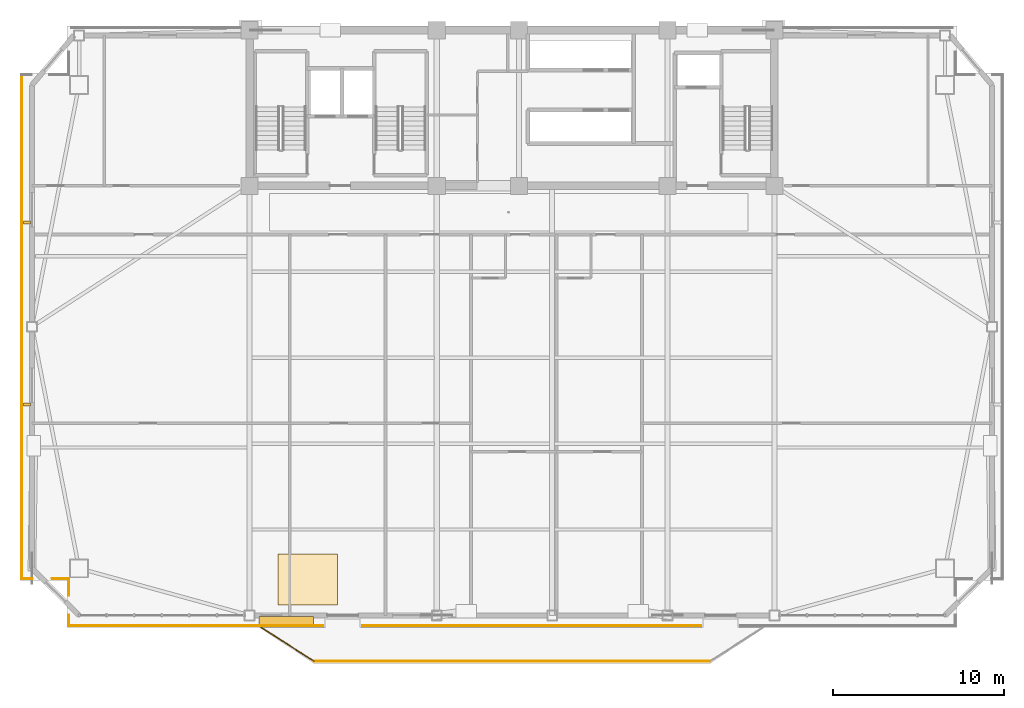
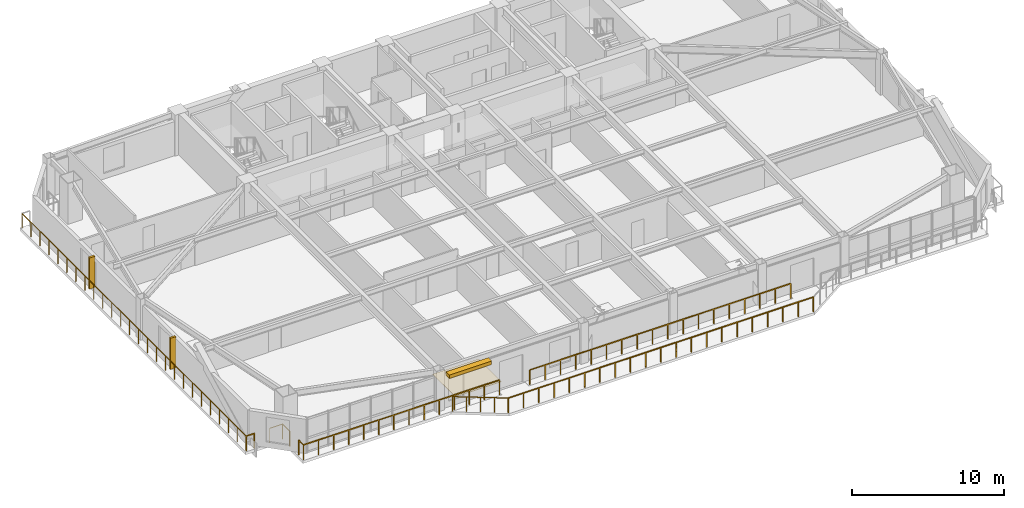
# One storey, part 13 of 17: 9 railings, 3 shading devices, 1 covering.
"""IFC4 building model written with IfcOpenShell, lengths in metres."""

from ifc_helpers import new_model, si_unit, direction, frame, origin, origin_2d, place, context, subcontext, project, spatial, polyline, rectangle, outline, extrude, source, transform, mapped, material, layer, layer_set, type_object, element, save


model = new_model("IFC4")

# Units and contexts
model_context = context("Model", 3, precision=1e-05, world=origin(), true_north=direction((0.0, 1.0)))
body_context = subcontext(model_context, "Body", "Model", "MODEL_VIEW")
ifc_project = project(units=[si_unit("LENGTHUNIT", "METRE"), si_unit("AREAUNIT", "SQUARE_METRE"), si_unit("VOLUMEUNIT", "CUBIC_METRE"), si_unit("PLANEANGLEUNIT", "RADIAN"), si_unit("MASSUNIT", "GRAM", prefix="KILO")], contexts=[model_context])

# Site, building, storey
site_placement = place(None, origin())
site = spatial("IfcSite", under=ifc_project, at=site_placement, CompositionType="ELEMENT")
building_placement = place(site_placement, origin())
building = spatial("IfcBuilding", under=site, at=building_placement, Name="Giltprow Tower", CompositionType="ELEMENT")
storey_placement = place(building_placement, frame((0.0, 0.0, 213.199951171875)))
storey = spatial("IfcBuildingStorey", under=building, at=storey_placement, Name="L54", CompositionType="ELEMENT", Elevation=213.199951171875)

# Covering
ifc_material_1 = material(Name="Engineered oak", Category="wood")
ifc_layer = layer(ifc_material_1, 0.02490234375, Name="Engineered oak")
ifc_layer_set = layer_set([ifc_layer], Name="Engineered oak")
covering_type = type_object("IfcCoveringType", Name="COV-FLR-TIMBER", PredefinedType="FLOORING", material=ifc_layer_set)
covering_placement = place(storey_placement, origin())
element("IfcCovering", 1, at=covering_placement, inside=storey, type_object=covering_type, Name="L54 Engineered Oak Guestroom Flooring", PredefinedType="FLOORING", context=body_context, shape_type="SweptSolid", body=[
    extrude(outline(polyline([(21.5, 12.91796875), (25.0, 12.91796875), (25.0, 15.91796875), (21.5, 15.91796875), (21.5, 12.91796875)])), origin(), (0.0, 0.0, 1.0), 0.025146484375),
])

# Railings
ifc_material_2 = material(Name="Anodized bronze", Category="metal")
railing_type = type_object("IfcRailingType", Name="RAIL-BALC-GUARD-1200", PredefinedType="BALUSTRADE", material=ifc_material_2)
railing_1_placement = place(storey_placement, frame((20.52001953125, 11.617919921875, 0.0)))
element("IfcRailing", 2, at=railing_1_placement, inside=storey, type_object=railing_type, Name="L54 Waterfront Balcony Balustrade Seg 1", PredefinedType="BALUSTRADE", context=body_context, shape_type="SweptSolid", body=[
    extrude(rectangle(XDim=0.048095703125, YDim=0.048095703125, at=origin_2d()), frame((0.0, 0.0, 1.17578125), z_axis=(0.84277487735, -0.538266203757, 0.0), x_axis=(0.538266203757, 0.84277487735, 0.0)), (0.0, 0.0, 1.0), 3.678466796875),
    extrude(rectangle(XDim=0.0419921875, YDim=0.0419921875, at=origin_2d()), origin(), (0.0, 0.0, 1.0), 1.15185546875),
    extrude(rectangle(XDim=0.0419921875, YDim=0.0419921875, at=origin_2d()), frame((0.77490234375, -0.4951171875, 0.0)), (0.0, 0.0, 1.0), 1.15185546875),
    extrude(rectangle(XDim=0.0419921875, YDim=0.0419921875, at=origin_2d()), frame((1.550048828125, -0.989990234375, 0.0)), (0.0, 0.0, 1.0), 1.15185546875),
    extrude(rectangle(XDim=0.0419921875, YDim=0.0419921875, at=origin_2d()), frame((2.3251953125, -1.48486328125, 0.0)), (0.0, 0.0, 1.0), 1.15185546875),
    extrude(rectangle(XDim=0.0419921875, YDim=0.0419921875, at=origin_2d()), frame((3.10009765625, -1.97998046875, 0.0)), (0.0, 0.0, 1.0), 1.15185546875),
])
railing_2_placement = place(storey_placement, frame((23.6201171875, 9.637939453125, 0.0)))
element("IfcRailing", 3, at=railing_2_placement, inside=storey, type_object=railing_type, Name="L54 Waterfront Balcony Balustrade Seg 2", PredefinedType="BALUSTRADE", context=body_context, shape_type="SweptSolid", body=[
    extrude(rectangle(XDim=0.048095703125, YDim=0.048095703125, at=origin_2d()), frame((0.0, 0.0, 1.17578125), z_axis=(1.0, 0.0, 0.0), x_axis=(0.0, 1.0, 0.0)), (0.0, 0.0, 1.0), 23.159912109375),
    extrude(rectangle(XDim=0.0419921875, YDim=0.0419921875, at=origin_2d()), origin(), (0.0, 0.0, 1.0), 1.15185546875),
    extrude(rectangle(XDim=0.0419921875, YDim=0.0419921875, at=origin_2d()), frame((1.157958984375, 0.0, 0.0)), (0.0, 0.0, 1.0), 1.15185546875),
    extrude(rectangle(XDim=0.0419921875, YDim=0.0419921875, at=origin_2d()), frame((2.31591796875, 0.0, 0.0)), (0.0, 0.0, 1.0), 1.15185546875),
    extrude(rectangle(XDim=0.0419921875, YDim=0.0419921875, at=origin_2d()), frame((3.473876953125, 0.0, 0.0)), (0.0, 0.0, 1.0), 1.15185546875),
    extrude(rectangle(XDim=0.0419921875, YDim=0.0419921875, at=origin_2d()), frame((4.632080078125, 0.0, 0.0)), (0.0, 0.0, 1.0), 1.15185546875),
    extrude(rectangle(XDim=0.0419921875, YDim=0.0419921875, at=origin_2d()), frame((5.7900390625, 0.0, 0.0)), (0.0, 0.0, 1.0), 1.15185546875),
    extrude(rectangle(XDim=0.0419921875, YDim=0.0419921875, at=origin_2d()), frame((6.947998046875, 0.0, 0.0)), (0.0, 0.0, 1.0), 1.15185546875),
    extrude(rectangle(XDim=0.0419921875, YDim=0.0419921875, at=origin_2d()), frame((8.10595703125, 0.0, 0.0)), (0.0, 0.0, 1.0), 1.15185546875),
    extrude(rectangle(XDim=0.0419921875, YDim=0.0419921875, at=origin_2d()), frame((9.263916015625, 0.0, 0.0)), (0.0, 0.0, 1.0), 1.15185546875),
    extrude(rectangle(XDim=0.0419921875, YDim=0.0419921875, at=origin_2d()), frame((10.421875, 0.0, 0.0)), (0.0, 0.0, 1.0), 1.15185546875),
    extrude(rectangle(XDim=0.0419921875, YDim=0.0419921875, at=origin_2d()), frame((11.580078125, 0.0, 0.0)), (0.0, 0.0, 1.0), 1.15185546875),
    extrude(rectangle(XDim=0.0419921875, YDim=0.0419921875, at=origin_2d()), frame((12.738037109375, 0.0, 0.0)), (0.0, 0.0, 1.0), 1.15185546875),
    extrude(rectangle(XDim=0.0419921875, YDim=0.0419921875, at=origin_2d()), frame((13.89599609375, 0.0, 0.0)), (0.0, 0.0, 1.0), 1.15185546875),
    extrude(rectangle(XDim=0.0419921875, YDim=0.0419921875, at=origin_2d()), frame((15.053955078125, 0.0, 0.0)), (0.0, 0.0, 1.0), 1.15185546875),
    extrude(rectangle(XDim=0.0419921875, YDim=0.0419921875, at=origin_2d()), frame((16.2119140625, 0.0, 0.0)), (0.0, 0.0, 1.0), 1.15185546875),
    extrude(rectangle(XDim=0.0419921875, YDim=0.0419921875, at=origin_2d()), frame((17.369873046875, 0.0, 0.0)), (0.0, 0.0, 1.0), 1.15185546875),
    extrude(rectangle(XDim=0.0419921875, YDim=0.0419921875, at=origin_2d()), frame((18.52783203125, 0.0, 0.0)), (0.0, 0.0, 1.0), 1.15185546875),
    extrude(rectangle(XDim=0.0419921875, YDim=0.0419921875, at=origin_2d()), frame((19.68603515625, 0.0, 0.0)), (0.0, 0.0, 1.0), 1.15185546875),
    extrude(rectangle(XDim=0.0419921875, YDim=0.0419921875, at=origin_2d()), frame((20.843994140625, 0.0, 0.0)), (0.0, 0.0, 1.0), 1.15185546875),
    extrude(rectangle(XDim=0.0419921875, YDim=0.0419921875, at=origin_2d()), frame((22.001953125, 0.0, 0.0)), (0.0, 0.0, 1.0), 1.15185546875),
    extrude(rectangle(XDim=0.0419921875, YDim=0.0419921875, at=origin_2d()), frame((23.159912109375, 0.0, 0.0)), (0.0, 0.0, 1.0), 1.15185546875),
])
railing_3_placement = place(storey_placement, frame((46.25, 11.718017578125, 0.0)))
element("IfcRailing", 4, at=railing_3_placement, inside=storey, type_object=railing_type, Name="L54 Corner Apron Edge Balustrade 7", PredefinedType="BALUSTRADE", context=body_context, shape_type="SweptSolid", body=[
    extrude(rectangle(XDim=0.048095703125, YDim=0.048095703125, at=origin_2d()), frame((0.0, 0.0, 1.17578125), z_axis=(-1.0, 0.0, 0.0), x_axis=(0.0, -1.0, 0.0)), (0.0, 0.0, 1.0), 19.800048828125),
    extrude(rectangle(XDim=0.0419921875, YDim=0.0419921875, at=origin_2d()), origin(), (0.0, 0.0, 1.0), 1.15185546875),
    extrude(rectangle(XDim=0.0419921875, YDim=0.0419921875, at=origin_2d()), frame((-1.164794921875, 0.0, 0.0)), (0.0, 0.0, 1.0), 1.15185546875),
    extrude(rectangle(XDim=0.0419921875, YDim=0.0419921875, at=origin_2d()), frame((-2.329345703125, 0.0, 0.0)), (0.0, 0.0, 1.0), 1.15185546875),
    extrude(rectangle(XDim=0.0419921875, YDim=0.0419921875, at=origin_2d()), frame((-3.494140625, 0.0, 0.0)), (0.0, 0.0, 1.0), 1.15185546875),
    extrude(rectangle(XDim=0.0419921875, YDim=0.0419921875, at=origin_2d()), frame((-4.658935546875, 0.0, 0.0)), (0.0, 0.0, 1.0), 1.15185546875),
    extrude(rectangle(XDim=0.0419921875, YDim=0.0419921875, at=origin_2d()), frame((-5.823486328125, 0.0, 0.0)), (0.0, 0.0, 1.0), 1.15185546875),
    extrude(rectangle(XDim=0.0419921875, YDim=0.0419921875, at=origin_2d()), frame((-6.98828125, 0.0, 0.0)), (0.0, 0.0, 1.0), 1.15185546875),
    extrude(rectangle(XDim=0.0419921875, YDim=0.0419921875, at=origin_2d()), frame((-8.153076171875, 0.0, 0.0)), (0.0, 0.0, 1.0), 1.15185546875),
    extrude(rectangle(XDim=0.0419921875, YDim=0.0419921875, at=origin_2d()), frame((-9.317626953125, 0.0, 0.0)), (0.0, 0.0, 1.0), 1.15185546875),
    extrude(rectangle(XDim=0.0419921875, YDim=0.0419921875, at=origin_2d()), frame((-10.482421875, 0.0, 0.0)), (0.0, 0.0, 1.0), 1.15185546875),
    extrude(rectangle(XDim=0.0419921875, YDim=0.0419921875, at=origin_2d()), frame((-11.64697265625, 0.0, 0.0)), (0.0, 0.0, 1.0), 1.15185546875),
    extrude(rectangle(XDim=0.0419921875, YDim=0.0419921875, at=origin_2d()), frame((-12.811767578125, 0.0, 0.0)), (0.0, 0.0, 1.0), 1.15185546875),
    extrude(rectangle(XDim=0.0419921875, YDim=0.0419921875, at=origin_2d()), frame((-13.9765625, 0.0, 0.0)), (0.0, 0.0, 1.0), 1.15185546875),
    extrude(rectangle(XDim=0.0419921875, YDim=0.0419921875, at=origin_2d()), frame((-15.14111328125, 0.0, 0.0)), (0.0, 0.0, 1.0), 1.15185546875),
    extrude(rectangle(XDim=0.0419921875, YDim=0.0419921875, at=origin_2d()), frame((-16.305908203125, 0.0, 0.0)), (0.0, 0.0, 1.0), 1.15185546875),
    extrude(rectangle(XDim=0.0419921875, YDim=0.0419921875, at=origin_2d()), frame((-17.470703125, 0.0, 0.0)), (0.0, 0.0, 1.0), 1.15185546875),
    extrude(rectangle(XDim=0.0419921875, YDim=0.0419921875, at=origin_2d()), frame((-18.63525390625, 0.0, 0.0)), (0.0, 0.0, 1.0), 1.15185546875),
    extrude(rectangle(XDim=0.0419921875, YDim=0.0419921875, at=origin_2d()), frame((-19.800048828125, 0.0, 0.0)), (0.0, 0.0, 1.0), 1.15185546875),
])
railing_4_placement = place(storey_placement, frame((24.14990234375, 11.718017578125, 0.0)))
element("IfcRailing", 5, at=railing_4_placement, inside=storey, type_object=railing_type, Name="L54 Corner Apron Edge Balustrade 8", PredefinedType="BALUSTRADE", context=body_context, shape_type="SweptSolid", body=[
    extrude(rectangle(XDim=0.048095703125, YDim=0.048095703125, at=origin_2d()), frame((0.0, 0.0, 1.17578125), z_axis=(-1.0, 0.0, 0.0), x_axis=(0.0, -1.0, 0.0)), (0.0, 0.0, 1.0), 14.8779296875),
    extrude(rectangle(XDim=0.0419921875, YDim=0.0419921875, at=origin_2d()), origin(), (0.0, 0.0, 1.0), 1.15185546875),
    extrude(rectangle(XDim=0.0419921875, YDim=0.0419921875, at=origin_2d()), frame((-1.14453125, 0.0, 0.0)), (0.0, 0.0, 1.0), 1.15185546875),
    extrude(rectangle(XDim=0.0419921875, YDim=0.0419921875, at=origin_2d()), frame((-2.288818359375, 0.0, 0.0)), (0.0, 0.0, 1.0), 1.15185546875),
    extrude(rectangle(XDim=0.0419921875, YDim=0.0419921875, at=origin_2d()), frame((-3.433349609375, 0.0, 0.0)), (0.0, 0.0, 1.0), 1.15185546875),
    extrude(rectangle(XDim=0.0419921875, YDim=0.0419921875, at=origin_2d()), frame((-4.577880859375, 0.0, 0.0)), (0.0, 0.0, 1.0), 1.15185546875),
    extrude(rectangle(XDim=0.0419921875, YDim=0.0419921875, at=origin_2d()), frame((-5.72216796875, 0.0, 0.0)), (0.0, 0.0, 1.0), 1.15185546875),
    extrude(rectangle(XDim=0.0419921875, YDim=0.0419921875, at=origin_2d()), frame((-6.86669921875, 0.0, 0.0)), (0.0, 0.0, 1.0), 1.15185546875),
    extrude(rectangle(XDim=0.0419921875, YDim=0.0419921875, at=origin_2d()), frame((-8.01123046875, 0.0, 0.0)), (0.0, 0.0, 1.0), 1.15185546875),
    extrude(rectangle(XDim=0.0419921875, YDim=0.0419921875, at=origin_2d()), frame((-9.15576171875, 0.0, 0.0)), (0.0, 0.0, 1.0), 1.15185546875),
    extrude(rectangle(XDim=0.0419921875, YDim=0.0419921875, at=origin_2d()), frame((-10.300048828125, 0.0, 0.0)), (0.0, 0.0, 1.0), 1.15185546875),
    extrude(rectangle(XDim=0.0419921875, YDim=0.0419921875, at=origin_2d()), frame((-11.444580078125, 0.0, 0.0)), (0.0, 0.0, 1.0), 1.15185546875),
    extrude(rectangle(XDim=0.0419921875, YDim=0.0419921875, at=origin_2d()), frame((-12.589111328125, 0.0, 0.0)), (0.0, 0.0, 1.0), 1.15185546875),
    extrude(rectangle(XDim=0.0419921875, YDim=0.0419921875, at=origin_2d()), frame((-13.7333984375, 0.0, 0.0)), (0.0, 0.0, 1.0), 1.15185546875),
    extrude(rectangle(XDim=0.0419921875, YDim=0.0419921875, at=origin_2d()), frame((-14.8779296875, 0.0, 0.0)), (0.0, 0.0, 1.0), 1.15185546875),
])
railing_5_placement = place(storey_placement, frame((9.27197265625, 11.718017578125, 0.0)))
element("IfcRailing", 6, at=railing_5_placement, inside=storey, type_object=railing_type, Name="L54 Corner Apron Edge Balustrade 9", PredefinedType="BALUSTRADE", context=body_context, shape_type="SweptSolid", body=[
    extrude(rectangle(XDim=0.048095703125, YDim=0.048095703125, at=origin_2d()), frame((0.0, 0.0, 1.17578125), z_axis=(0.0, 1.0, 0.0), x_axis=(-1.0, 0.0, 0.0)), (0.0, 0.0, 1.0), 0.619873046875),
    extrude(rectangle(XDim=0.0419921875, YDim=0.0419921875, at=origin_2d()), origin(), (0.0, 0.0, 1.0), 1.15185546875),
    extrude(rectangle(XDim=0.0419921875, YDim=0.0419921875, at=origin_2d()), frame((0.0, 0.619873046875, 0.0)), (0.0, 0.0, 1.0), 1.15185546875),
])
railing_6_placement = place(storey_placement, frame((9.27197265625, 13.498046875, 0.0)))
element("IfcRailing", 7, at=railing_6_placement, inside=storey, type_object=railing_type, Name="L54 Corner Apron Edge Balustrade 10", PredefinedType="BALUSTRADE", context=body_context, shape_type="SweptSolid", body=[
    extrude(rectangle(XDim=0.048095703125, YDim=0.048095703125, at=origin_2d()), frame((0.0, 0.0, 1.17578125), z_axis=(0.0, 1.0, 0.0), x_axis=(-1.0, 0.0, 0.0)), (0.0, 0.0, 1.0), 0.973876953125),
    extrude(rectangle(XDim=0.0419921875, YDim=0.0419921875, at=origin_2d()), origin(), (0.0, 0.0, 1.0), 1.15185546875),
    extrude(rectangle(XDim=0.0419921875, YDim=0.0419921875, at=origin_2d()), frame((0.0, 0.973876953125, 0.0)), (0.0, 0.0, 1.0), 1.15185546875),
])
railing_7_placement = place(storey_placement, frame((9.27197265625, 14.471923828125, 0.0)))
element("IfcRailing", 8, at=railing_7_placement, inside=storey, type_object=railing_type, Name="L54 Corner Apron Edge Balustrade 11", PredefinedType="BALUSTRADE", context=body_context, shape_type="SweptSolid", body=[
    extrude(rectangle(XDim=0.048095703125, YDim=0.048095703125, at=origin_2d()), frame((0.0, 0.0, 1.17578125), z_axis=(-1.0, 0.0, 0.0), x_axis=(0.0, -1.0, 0.0)), (0.0, 0.0, 1.0), 0.973876953125),
    extrude(rectangle(XDim=0.0419921875, YDim=0.0419921875, at=origin_2d()), origin(), (0.0, 0.0, 1.0), 1.15185546875),
    extrude(rectangle(XDim=0.0419921875, YDim=0.0419921875, at=origin_2d()), frame((-0.973876953125, 0.0, 0.0)), (0.0, 0.0, 1.0), 1.15185546875),
])
railing_8_placement = place(storey_placement, frame((7.137939453125, 14.471923828125, 0.0)))
element("IfcRailing", 9, at=railing_8_placement, inside=storey, type_object=railing_type, Name="L54 Corner Apron Edge Balustrade 12", PredefinedType="BALUSTRADE", context=body_context, shape_type="SweptSolid", body=[
    extrude(rectangle(XDim=0.048095703125, YDim=0.048095703125, at=origin_2d()), frame((0.0, 0.0, 1.17578125), z_axis=(-1.0, 0.0, 0.0), x_axis=(0.0, -1.0, 0.0)), (0.0, 0.0, 1.0), 0.619873046875),
    extrude(rectangle(XDim=0.0419921875, YDim=0.0419921875, at=origin_2d()), origin(), (0.0, 0.0, 1.0), 1.15185546875),
    extrude(rectangle(XDim=0.0419921875, YDim=0.0419921875, at=origin_2d()), frame((-0.619873046875, 0.0, 0.0)), (0.0, 0.0, 1.0), 1.15185546875),
])
railing_9_placement = place(storey_placement, frame((6.51806640625, 14.471923828125, 0.0)))
element("IfcRailing", 10, at=railing_9_placement, inside=storey, type_object=railing_type, Name="L54 Corner Apron Edge Balustrade 13", PredefinedType="BALUSTRADE", context=body_context, shape_type="SweptSolid", body=[
    extrude(rectangle(XDim=0.048095703125, YDim=0.048095703125, at=origin_2d()), frame((0.0, 0.0, 1.17578125), z_axis=(0.0, 1.0, 0.0), x_axis=(-1.0, 0.0, 0.0)), (0.0, 0.0, 1.0), 29.47412109375),
    extrude(rectangle(XDim=0.0419921875, YDim=0.0419921875, at=origin_2d()), origin(), (0.0, 0.0, 1.0), 1.15185546875),
    extrude(rectangle(XDim=0.0419921875, YDim=0.0419921875, at=origin_2d()), frame((0.0, 1.178955078125, 0.0)), (0.0, 0.0, 1.0), 1.15185546875),
    extrude(rectangle(XDim=0.0419921875, YDim=0.0419921875, at=origin_2d()), frame((0.0, 2.35791015625, 0.0)), (0.0, 0.0, 1.0), 1.15185546875),
    extrude(rectangle(XDim=0.0419921875, YDim=0.0419921875, at=origin_2d()), frame((0.0, 3.536865234375, 0.0)), (0.0, 0.0, 1.0), 1.15185546875),
    extrude(rectangle(XDim=0.0419921875, YDim=0.0419921875, at=origin_2d()), frame((0.0, 4.7158203125, 0.0)), (0.0, 0.0, 1.0), 1.15185546875),
    extrude(rectangle(XDim=0.0419921875, YDim=0.0419921875, at=origin_2d()), frame((0.0, 5.894775390625, 0.0)), (0.0, 0.0, 1.0), 1.15185546875),
    extrude(rectangle(XDim=0.0419921875, YDim=0.0419921875, at=origin_2d()), frame((0.0, 7.07373046875, 0.0)), (0.0, 0.0, 1.0), 1.15185546875),
    extrude(rectangle(XDim=0.0419921875, YDim=0.0419921875, at=origin_2d()), frame((0.0, 8.252685546875, 0.0)), (0.0, 0.0, 1.0), 1.15185546875),
    extrude(rectangle(XDim=0.0419921875, YDim=0.0419921875, at=origin_2d()), frame((0.0, 9.431640625, 0.0)), (0.0, 0.0, 1.0), 1.15185546875),
    extrude(rectangle(XDim=0.0419921875, YDim=0.0419921875, at=origin_2d()), frame((0.0, 10.610595703125, 0.0)), (0.0, 0.0, 1.0), 1.15185546875),
    extrude(rectangle(XDim=0.0419921875, YDim=0.0419921875, at=origin_2d()), frame((0.0, 11.78955078125, 0.0)), (0.0, 0.0, 1.0), 1.15185546875),
    extrude(rectangle(XDim=0.0419921875, YDim=0.0419921875, at=origin_2d()), frame((0.0, 12.968505859375, 0.0)), (0.0, 0.0, 1.0), 1.15185546875),
    extrude(rectangle(XDim=0.0419921875, YDim=0.0419921875, at=origin_2d()), frame((0.0, 14.1474609375, 0.0)), (0.0, 0.0, 1.0), 1.15185546875),
    extrude(rectangle(XDim=0.0419921875, YDim=0.0419921875, at=origin_2d()), frame((0.0, 15.32666015625, 0.0)), (0.0, 0.0, 1.0), 1.15185546875),
    extrude(rectangle(XDim=0.0419921875, YDim=0.0419921875, at=origin_2d()), frame((0.0, 16.505615234375, 0.0)), (0.0, 0.0, 1.0), 1.15185546875),
    extrude(rectangle(XDim=0.0419921875, YDim=0.0419921875, at=origin_2d()), frame((0.0, 17.6845703125, 0.0)), (0.0, 0.0, 1.0), 1.15185546875),
    extrude(rectangle(XDim=0.0419921875, YDim=0.0419921875, at=origin_2d()), frame((0.0, 18.863525390625, 0.0)), (0.0, 0.0, 1.0), 1.15185546875),
    extrude(rectangle(XDim=0.0419921875, YDim=0.0419921875, at=origin_2d()), frame((0.0, 20.04248046875, 0.0)), (0.0, 0.0, 1.0), 1.15185546875),
    extrude(rectangle(XDim=0.0419921875, YDim=0.0419921875, at=origin_2d()), frame((0.0, 21.221435546875, 0.0)), (0.0, 0.0, 1.0), 1.15185546875),
    extrude(rectangle(XDim=0.0419921875, YDim=0.0419921875, at=origin_2d()), frame((0.0, 22.400390625, 0.0)), (0.0, 0.0, 1.0), 1.15185546875),
    extrude(rectangle(XDim=0.0419921875, YDim=0.0419921875, at=origin_2d()), frame((0.0, 23.579345703125, 0.0)), (0.0, 0.0, 1.0), 1.15185546875),
    extrude(rectangle(XDim=0.0419921875, YDim=0.0419921875, at=origin_2d()), frame((0.0, 24.75830078125, 0.0)), (0.0, 0.0, 1.0), 1.15185546875),
    extrude(rectangle(XDim=0.0419921875, YDim=0.0419921875, at=origin_2d()), frame((0.0, 25.937255859375, 0.0)), (0.0, 0.0, 1.0), 1.15185546875),
    extrude(rectangle(XDim=0.0419921875, YDim=0.0419921875, at=origin_2d()), frame((0.0, 27.1162109375, 0.0)), (0.0, 0.0, 1.0), 1.15185546875),
    extrude(rectangle(XDim=0.0419921875, YDim=0.0419921875, at=origin_2d()), frame((0.0, 28.295166015625, 0.0)), (0.0, 0.0, 1.0), 1.15185546875),
    extrude(rectangle(XDim=0.0419921875, YDim=0.0419921875, at=origin_2d()), frame((0.0, 29.47412109375, 0.0)), (0.0, 0.0, 1.0), 1.15185546875),
])

# Shading devices
shading_device_type_1 = type_object("IfcShadingDeviceType", Name="SHD-FIN-420", PredefinedType="USERDEFINED", material=ifc_material_2)
shared_shape_1 = source(origin(), body_context, "Body", "SweptSolid", [
    extrude(rectangle(XDim=0.419921875, YDim=0.159912109375, at=origin_2d()), origin(), (0.0, 0.0, 1.0), 2.5),
])
for number, where, z_axis, x_axis, name in (
    (11, (6.818115234375, 24.662109375, 0.35009765625), (0.0, 0.0, 1.0), (1.0, 0.0, 0.0), "L54 W Bronze Vertical Fin 1-1"),
    (12, (6.818115234375, 35.306884765625, 0.35009765625), (0.0, 0.0, 1.0), (1.0, 0.0, 0.0), "L54 W Bronze Vertical Fin 2-1"),
):
    element("IfcShadingDevice", number, at=place(storey_placement, frame(where, z_axis=z_axis, x_axis=x_axis)), inside=storey, type_object=shading_device_type_1, Name=name, ObjectType="FIN", PredefinedType="USERDEFINED", context=body_context, shape_type="MappedRepresentation", body=[
        mapped(shared_shape_1, transform((0.0, 0.0, 0.0), x_axis=(1.0, 0.0, 0.0), y_axis=(0.0, 1.0, 0.0), z_axis=(0.0, 0.0, 1.0), scale=1.0)),
    ])
shading_device_type_2 = type_object("IfcShadingDeviceType", Name="SHD-LOUVRE-320", PredefinedType="JALOUSIE", material=ifc_material_2)
shared_shape_2 = source(origin(), body_context, "Body", "SweptSolid", [
    extrude(rectangle(XDim=3.199951171875, YDim=0.449951171875, at=origin_2d()), origin(), (0.0, 0.0, 1.0), 0.280029296875),
])
shading_device_placement = place(storey_placement, frame((22.0, 12.01806640625, 2.56005859375), z_axis=(0.0, 0.0, 1.0), x_axis=(1.0, 0.0, 0.0)))
element("IfcShadingDevice", 13, at=shading_device_placement, inside=storey, type_object=shading_device_type_2, Name="L54 Bronze Sunshade Louvre S-2", PredefinedType="JALOUSIE", context=body_context, shape_type="MappedRepresentation", body=[
    mapped(shared_shape_2, transform((0.0, 0.0, 0.0), x_axis=(1.0, 0.0, 0.0), y_axis=(0.0, 1.0, 0.0), z_axis=(0.0, 0.0, 1.0), scale=1.0)),
])

save(model, "model.ifc")
